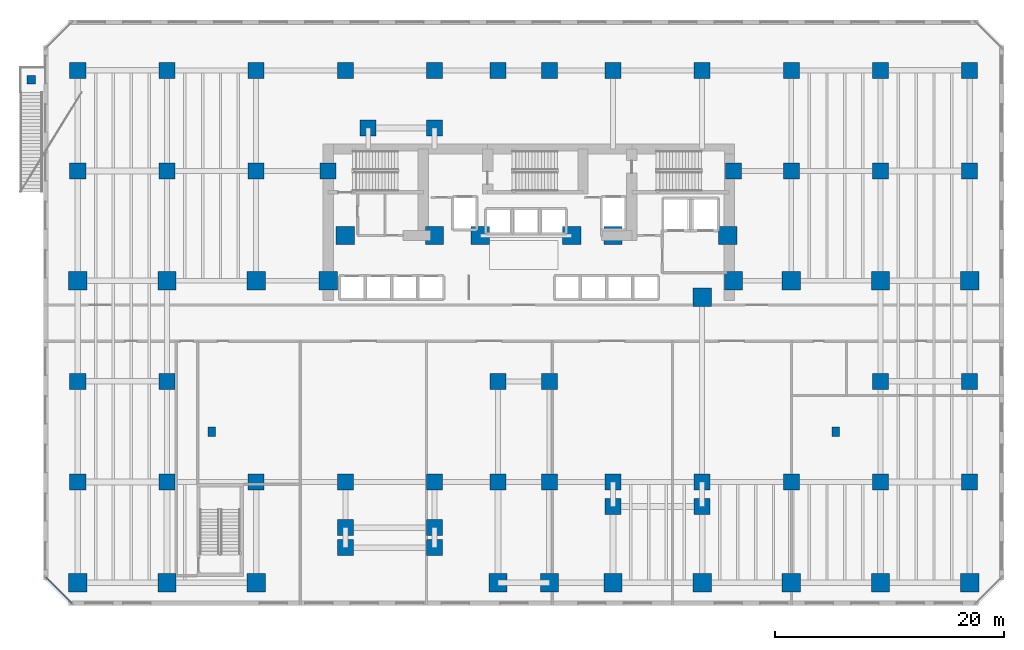
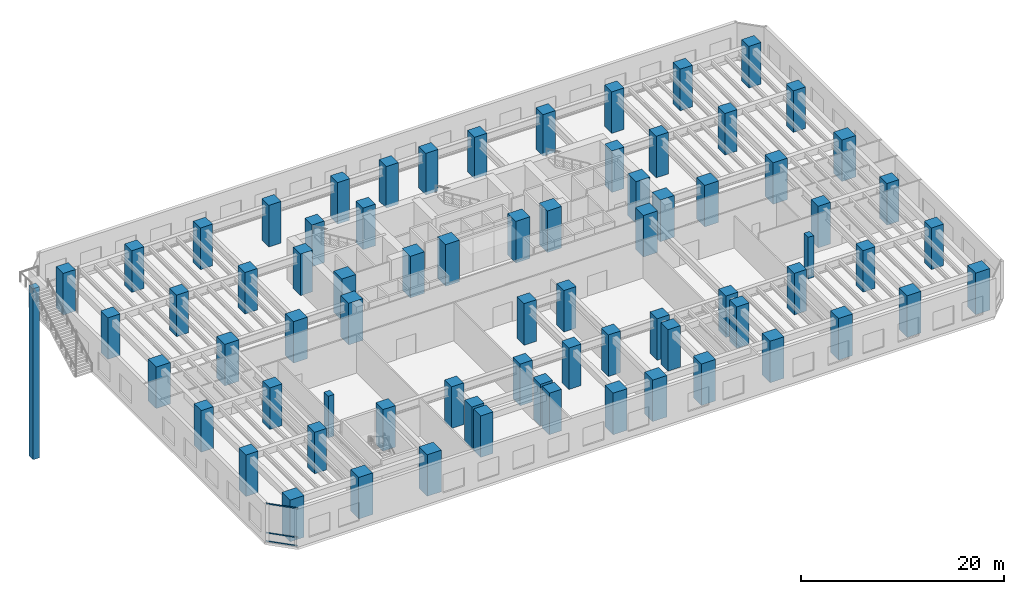
# One storey, part 1 of 20: 74 columns, 3 members, 1 element without a shape of its own.
"""IFC4 building model written with IfcOpenShell, lengths in metres."""

from ifc_helpers import new_model, si_unit, direction, frame, origin, origin_2d, place, context, subcontext, project, spatial, rectangle, hollow_rectangle, extrude, material, layer, layer_set, material_profile, profile_set, type_object, element, aggregate, save


model = new_model("IFC4")

# Units and contexts
model_context = context("Model", 3, precision=1e-05, world=origin(), true_north=direction((0.0, 1.0)))
body_context = subcontext(model_context, "Body", "Model", "MODEL_VIEW")
ifc_project = project(units=[si_unit("LENGTHUNIT", "METRE"), si_unit("AREAUNIT", "SQUARE_METRE"), si_unit("VOLUMEUNIT", "CUBIC_METRE"), si_unit("PLANEANGLEUNIT", "RADIAN"), si_unit("MASSUNIT", "GRAM", prefix="KILO")], contexts=[model_context])

# Site, building, storey
site_placement = place(None, origin())
site = spatial("IfcSite", under=ifc_project, at=site_placement, CompositionType="ELEMENT")
building_placement = place(site_placement, origin())
building = spatial("IfcBuilding", under=site, at=building_placement, Name="Kestravale Grand Hotel", CompositionType="ELEMENT")
storey_placement = place(building_placement, frame((0.0, 0.0, 15.800048828125)))
storey = spatial("IfcBuildingStorey", under=building, at=storey_placement, Name="L03", CompositionType="ELEMENT", Elevation=15.800048828125)

# Columns
ifc_material_1 = material(Name="Concrete f'c 70 MPa", Category="concrete")
ifc_material_profile_1 = material_profile(ifc_material_1, rectangle(XDim=1.39990234375, YDim=1.39990234375, at=origin_2d()))
ifc_profile_set_1 = profile_set([ifc_material_profile_1], Name="Concrete f'c 70 MPa")
column_type_1 = type_object("IfcColumnType", Name="C-Z1-1400", PredefinedType="COLUMN", material=ifc_profile_set_1)
for number, where, z_axis, x_axis, name in (
    (1, (0.0, 11.199951171875, 0.0), (0.0, 0.0, 1.0), (1.0, 0.0, 0.0), "L03 column 1-C"),
    (2, (0.0, 20.0, 0.0), (0.0, 0.0, 1.0), (1.0, 0.0, 0.0), "L03 column 1-D"),
    (3, (0.0, 38.39990234375, 0.0), (0.0, 0.0, 1.0), (1.0, 0.0, 0.0), "L03 column 1-F"),
    (4, (0.0, 47.199951171875, 0.0), (0.0, 0.0, 1.0), (1.0, 0.0, 0.0), "L03 column 1-G"),
    (5, (7.800048828125, 11.199951171875, 0.0), (0.0, 0.0, 1.0), (1.0, 0.0, 0.0), "L03 column 2-C"),
    (6, (7.800048828125, 20.0, 0.0), (0.0, 0.0, 1.0), (1.0, 0.0, 0.0), "L03 column 2-D"),
    (7, (7.800048828125, 38.39990234375, 0.0), (0.0, 0.0, 1.0), (1.0, 0.0, 0.0), "L03 column 2-F"),
    (8, (7.800048828125, 47.199951171875, 0.0), (0.0, 0.0, 1.0), (1.0, 0.0, 0.0), "L03 column 2-G"),
    (9, (15.60009765625, 11.199951171875, 0.0), (0.0, 0.0, 1.0), (1.0, 0.0, 0.0), "L03 column 3-C"),
    (10, (15.60009765625, 38.39990234375, 0.0), (0.0, 0.0, 1.0), (1.0, 0.0, 0.0), "L03 column 3-F"),
    (11, (15.60009765625, 47.199951171875, 0.0), (0.0, 0.0, 1.0), (1.0, 0.0, 0.0), "L03 column 3-G"),
    (12, (23.39990234375, 11.199951171875, 0.0), (0.0, 0.0, 1.0), (1.0, 0.0, 0.0), "L03 column 4-C"),
    (13, (23.39990234375, 47.199951171875, 0.0), (0.0, 0.0, 1.0), (1.0, 0.0, 0.0), "L03 column 4-G"),
    (14, (31.199951171875, 11.199951171875, 0.0), (0.0, 0.0, 1.0), (1.0, 0.0, 0.0), "L03 column 5-C"),
    (15, (31.199951171875, 47.199951171875, 0.0), (0.0, 0.0, 1.0), (1.0, 0.0, 0.0), "L03 column 5-G"),
    (16, (36.75, 11.199951171875, 0.0), (0.0, 0.0, 1.0), (1.0, 0.0, 0.0), "L03 column 6-C"),
    (17, (36.75, 20.0, 0.0), (0.0, 0.0, 1.0), (1.0, 0.0, 0.0), "L03 column 6-D"),
    (18, (36.75, 47.199951171875, 0.0), (0.0, 0.0, 1.0), (1.0, 0.0, 0.0), "L03 column 6-G"),
    (19, (41.25, 11.199951171875, 0.0), (0.0, 0.0, 1.0), (1.0, 0.0, 0.0), "L03 column 7-C"),
    (20, (41.25, 20.0, 0.0), (0.0, 0.0, 1.0), (1.0, 0.0, 0.0), "L03 column 7-D"),
    (21, (41.25, 47.199951171875, 0.0), (0.0, 0.0, 1.0), (1.0, 0.0, 0.0), "L03 column 7-G"),
    (22, (46.800048828125, 11.199951171875, 0.0), (0.0, 0.0, 1.0), (1.0, 0.0, 0.0), "L03 column 8-C"),
    (23, (46.800048828125, 47.199951171875, 0.0), (0.0, 0.0, 1.0), (1.0, 0.0, 0.0), "L03 column 8-G"),
    (24, (54.60009765625, 11.199951171875, 0.0), (0.0, 0.0, 1.0), (1.0, 0.0, 0.0), "L03 column 9-C"),
    (25, (54.60009765625, 47.199951171875, 0.0), (0.0, 0.0, 1.0), (1.0, 0.0, 0.0), "L03 column 9-G"),
    (26, (62.39990234375, 11.199951171875, 0.0), (0.0, 0.0, 1.0), (1.0, 0.0, 0.0), "L03 column 10-C"),
    (27, (62.39990234375, 38.39990234375, 0.0), (0.0, 0.0, 1.0), (1.0, 0.0, 0.0), "L03 column 10-F"),
    (28, (62.39990234375, 47.199951171875, 0.0), (0.0, 0.0, 1.0), (1.0, 0.0, 0.0), "L03 column 10-G"),
    (29, (70.199951171875, 11.199951171875, 0.0), (0.0, 0.0, 1.0), (1.0, 0.0, 0.0), "L03 column 11-C"),
    (30, (70.199951171875, 20.0, 0.0), (0.0, 0.0, 1.0), (1.0, 0.0, 0.0), "L03 column 11-D"),
    (31, (70.199951171875, 38.39990234375, 0.0), (0.0, 0.0, 1.0), (1.0, 0.0, 0.0), "L03 column 11-F"),
    (32, (70.199951171875, 47.199951171875, 0.0), (0.0, 0.0, 1.0), (1.0, 0.0, 0.0), "L03 column 11-G"),
    (33, (78.0, 11.199951171875, 0.0), (0.0, 0.0, 1.0), (1.0, 0.0, 0.0), "L03 column 12-C"),
    (34, (78.0, 20.0, 0.0), (0.0, 0.0, 1.0), (1.0, 0.0, 0.0), "L03 column 12-D"),
    (35, (78.0, 38.39990234375, 0.0), (0.0, 0.0, 1.0), (1.0, 0.0, 0.0), "L03 column 12-F"),
    (36, (78.0, 47.199951171875, 0.0), (0.0, 0.0, 1.0), (1.0, 0.0, 0.0), "L03 column 12-G"),
    (37, (21.89990234375, 38.39990234375, 0.0), (0.0, 0.0, 1.0), (1.0, 0.0, 0.0), "L03 column CW-F"),
    (38, (57.35009765625, 38.39990234375, 0.0), (0.0, 0.0, 1.0), (1.0, 0.0, 0.0), "L03 column CE-F"),
    (39, (23.39990234375, 7.199951171875, 0.0), (0.0, 0.0, 1.0), (1.0, 0.0, 0.0), "L03 column 4-BS"),
    (40, (31.199951171875, 7.199951171875, 0.0), (0.0, 0.0, 1.0), (1.0, 0.0, 0.0), "L03 column 5-BS"),
    (41, (25.39990234375, 42.14990234375, 0.0), (0.0, 0.0, 1.0), (1.0, 0.0, 0.0), "L03 column 4-FN"),
    (42, (31.199951171875, 42.14990234375, 0.0), (0.0, 0.0, 1.0), (1.0, 0.0, 0.0), "L03 column 5-FN"),
    (43, (23.39990234375, 5.449951171875, 0.0), (0.0, 0.0, 1.0), (1.0, 0.0, 0.0), "L03 column 4-B1S"),
    (44, (31.199951171875, 5.449951171875, 0.0), (0.0, 0.0, 1.0), (1.0, 0.0, 0.0), "L03 column 5-B1S"),
    (45, (46.800048828125, 9.050048828125, 0.0), (0.0, 0.0, 1.0), (1.0, 0.0, 0.0), "L03 column 8-B1E"),
    (46, (54.60009765625, 9.050048828125, 0.0), (0.0, 0.0, 1.0), (1.0, 0.0, 0.0), "L03 column 9-B1E"),
):
    element("IfcColumn", number, at=place(storey_placement, frame(where, z_axis=z_axis, x_axis=x_axis)), inside=storey, type_object=column_type_1, Name=name, PredefinedType="COLUMN", context=body_context, shape_type="SweptSolid", body=[
        extrude(rectangle(XDim=1.39990234375, YDim=1.39990234375, at=origin_2d()), origin(), (0.0, 0.0, 1.0), 5.0),
    ])
ifc_material_2 = material(Name="Concrete f'c 70 MPa", Category="concrete")
ifc_material_profile_2 = material_profile(ifc_material_2, rectangle(XDim=1.60009765625, YDim=1.60009765625, at=origin_2d()))
ifc_profile_set_2 = profile_set([ifc_material_profile_2], Name="Concrete f'c 70 MPa")
column_type_2 = type_object("IfcColumnType", Name="C-Z1-1600", PredefinedType="COLUMN", material=ifc_profile_set_2)
for number, where, z_axis, x_axis, name in (
    (47, (0.0, 2.39990234375, 0.0), (0.0, 0.0, 1.0), (1.0, 0.0, 0.0), "L03 column 1-B"),
    (48, (0.0, 28.800048828125, 0.0), (0.0, 0.0, 1.0), (1.0, 0.0, 0.0), "L03 column 1-E"),
    (49, (7.800048828125, 2.39990234375, 0.0), (0.0, 0.0, 1.0), (1.0, 0.0, 0.0), "L03 column 2-B"),
    (50, (7.800048828125, 28.800048828125, 0.0), (0.0, 0.0, 1.0), (1.0, 0.0, 0.0), "L03 column 2-E"),
    (51, (15.60009765625, 2.39990234375, 0.0), (0.0, 0.0, 1.0), (1.0, 0.0, 0.0), "L03 column 3-B"),
    (52, (15.60009765625, 28.800048828125, 0.0), (0.0, 0.0, 1.0), (1.0, 0.0, 0.0), "L03 column 3-E"),
    (53, (36.75, 2.39990234375, 0.0), (0.0, 0.0, 1.0), (1.0, 0.0, 0.0), "L03 column 6-B"),
    (54, (41.25, 2.39990234375, 0.0), (0.0, 0.0, 1.0), (1.0, 0.0, 0.0), "L03 column 7-B"),
    (55, (46.800048828125, 2.39990234375, 0.0), (0.0, 0.0, 1.0), (1.0, 0.0, 0.0), "L03 column 8-B"),
    (56, (54.60009765625, 2.39990234375, 0.0), (0.0, 0.0, 1.0), (1.0, 0.0, 0.0), "L03 column 9-B"),
    (57, (62.39990234375, 2.39990234375, 0.0), (0.0, 0.0, 1.0), (1.0, 0.0, 0.0), "L03 column 10-B"),
    (58, (62.39990234375, 28.800048828125, 0.0), (0.0, 0.0, 1.0), (1.0, 0.0, 0.0), "L03 column 10-E"),
    (59, (70.199951171875, 2.39990234375, 0.0), (0.0, 0.0, 1.0), (1.0, 0.0, 0.0), "L03 column 11-B"),
    (60, (70.199951171875, 28.800048828125, 0.0), (0.0, 0.0, 1.0), (1.0, 0.0, 0.0), "L03 column 11-E"),
    (61, (78.0, 2.39990234375, 0.0), (0.0, 0.0, 1.0), (1.0, 0.0, 0.0), "L03 column 12-B"),
    (62, (78.0, 28.800048828125, 0.0), (0.0, 0.0, 1.0), (1.0, 0.0, 0.0), "L03 column 12-E"),
    (63, (21.89990234375, 28.800048828125, 0.0), (0.0, 0.0, 1.0), (1.0, 0.0, 0.0), "L03 column CW-E"),
    (64, (57.35009765625, 28.800048828125, 0.0), (0.0, 0.0, 1.0), (1.0, 0.0, 0.0), "L03 column CE-E"),
    (65, (23.39990234375, 32.75, 0.0), (0.0, 0.0, 1.0), (1.0, 0.0, 0.0), "L03 column 4-CS"),
    (66, (31.199951171875, 32.75, 0.0), (0.0, 0.0, 1.0), (1.0, 0.0, 0.0), "L03 column 5-CS"),
    (67, (35.199951171875, 32.75, 0.0), (0.0, 0.0, 1.0), (1.0, 0.0, 0.0), "L03 column 6C-CS"),
    (68, (43.199951171875, 32.75, 0.0), (0.0, 0.0, 1.0), (1.0, 0.0, 0.0), "L03 column 7C-CS"),
    (69, (46.800048828125, 32.75, 0.0), (0.0, 0.0, 1.0), (1.0, 0.0, 0.0), "L03 column 8-CS"),
    (70, (54.60009765625, 27.35009765625, 0.0), (0.0, 0.0, 1.0), (1.0, 0.0, 0.0), "L03 column 9-CS"),
    (71, (56.85009765625, 32.75, 0.0), (0.0, 0.0, 1.0), (1.0, 0.0, 0.0), "L03 column 9C-CS"),
):
    element("IfcColumn", number, at=place(storey_placement, frame(where, z_axis=z_axis, x_axis=x_axis)), inside=storey, type_object=column_type_2, Name=name, PredefinedType="COLUMN", context=body_context, shape_type="SweptSolid", body=[
        extrude(rectangle(XDim=1.60009765625, YDim=1.60009765625, at=origin_2d()), origin(), (0.0, 0.0, 1.0), 5.0),
    ])
ifc_material_3 = material(Name="Precast concrete f'c 45 MPa", Category="concrete")
ifc_material_profile_3 = material_profile(ifc_material_3, rectangle(XDim=0.64990234375, YDim=0.85009765625, at=origin_2d()))
ifc_profile_set_3 = profile_set([ifc_material_profile_3], Name="Precast concrete f'c 45 MPa")
column_type_3 = type_object("IfcColumnType", Name="C-Z1-PIL850", PredefinedType="PILASTER", material=ifc_profile_set_3)
for number, where, z_axis, x_axis, name in (
    (72, (11.699951171875, 15.60009765625, 0.0), (0.0, 0.0, 1.0), (1.0, 0.0, 0.0), "L03 Art Deco fluted pilaster P1"),
    (73, (66.300048828125, 15.60009765625, 0.0), (0.0, 0.0, 1.0), (1.0, 0.0, 0.0), "L03 Art Deco fluted pilaster P2"),
):
    element("IfcColumn", number, at=place(storey_placement, frame(where, z_axis=z_axis, x_axis=x_axis)), inside=storey, type_object=column_type_3, Name=name, PredefinedType="PILASTER", context=body_context, shape_type="SweptSolid", body=[
        extrude(rectangle(XDim=0.64990234375, YDim=0.85009765625, at=origin_2d()), origin(), (0.0, 0.0, 1.0), 5.0),
    ])
ifc_material_4 = material(Name="Concrete f'c 50 MPa", Category="concrete")
ifc_material_profile_4 = material_profile(ifc_material_4, rectangle(XDim=0.75, YDim=0.75, at=origin_2d()))
ifc_profile_set_4 = profile_set([ifc_material_profile_4], Name="Concrete f'c 50 MPa")
column_type_4 = type_object("IfcColumnType", Name="C-Z4-750", PredefinedType="COLUMN", material=ifc_profile_set_4)
column_placement = place(storey_placement, frame((-4.050048828125, 46.3798828125, -15.800048828125), z_axis=(0.0, 0.0, 1.0), x_axis=(1.0, 0.0, 0.0)))
element("IfcColumn", 74, at=column_placement, inside=storey, type_object=column_type_4, Name="Garden stair 4 pier column", PredefinedType="COLUMN", context=body_context, shape_type="SweptSolid", body=[
    extrude(rectangle(XDim=0.75, YDim=0.75, at=origin_2d()), origin(), (0.0, 0.0, 1.0), 20.550048828125),
])

# Curtain wall, members
ifc_material_5 = material(Name="Thermally broken champagne-bronze aluminium and low-E glazing", Category="aluminium")
ifc_layer = layer(ifc_material_5, 0.239990234375)
ifc_layer_set = layer_set([ifc_layer], Name="CW-POD")
curtain_wall_type = type_object("IfcCurtainWallType", Name="CW-POD", PredefinedType="NOTDEFINED", material=ifc_layer_set)
curtain_wall_placement = place(storey_placement, origin())
curtain_wall = element("IfcCurtainWall", 75, at=curtain_wall_placement, inside=storey, type_object=curtain_wall_type, Name="L03 unitised curtain wall 8", PredefinedType="NOTDEFINED")
ifc_material_6 = material(Name="Aluminium 6063-T6 anodised", Category="aluminium")
ifc_material_profile_5 = material_profile(ifc_material_6, hollow_rectangle(XDim=0.074951171875, YDim=0.139892578125, WallThickness=0.00341796875, at=origin_2d()))
ifc_profile_set_5 = profile_set([ifc_material_profile_5], Name="Aluminium 6063-T6 anodised")
member_type = type_object("IfcMemberType", Name="CW-TRN-140", PredefinedType="USERDEFINED", material=ifc_profile_set_5)
member_1_placement = place(storey_placement, frame((-2.819580078125, 2.888427734375, 0.037353515625), z_axis=(0.707069380992, -0.707144179403, 0.0), x_axis=(0.707144179403, 0.707069380992, 0.0)))
member_1 = element("IfcMember", 76, at=member_1_placement, type_object=member_type, Name="CW-POD transom 1.1", ObjectType="TRANSOM", PredefinedType="USERDEFINED", context=body_context, shape_type="SweptSolid", body=[
    extrude(hollow_rectangle(XDim=0.074951171875, YDim=0.139892578125, WallThickness=0.00341796875, at=origin_2d()), origin(), (0.0, 0.0, 1.0), 3.263916015625),
])
member_2_placement = place(storey_placement, frame((-2.819580078125, 2.888427734375, 1.050048828125), z_axis=(0.707069380992, -0.707144179403, 0.0), x_axis=(0.707144179403, 0.707069380992, 0.0)))
member_2 = element("IfcMember", 77, at=member_2_placement, type_object=member_type, Name="CW-POD transom 1.2", ObjectType="TRANSOM", PredefinedType="USERDEFINED", context=body_context, shape_type="SweptSolid", body=[
    extrude(hollow_rectangle(XDim=0.074951171875, YDim=0.139892578125, WallThickness=0.00341796875, at=origin_2d()), origin(), (0.0, 0.0, 1.0), 3.263916015625),
])
member_3_placement = place(storey_placement, frame((-2.819580078125, 2.888427734375, 4.54248046875), z_axis=(0.707069380992, -0.707144179403, 0.0), x_axis=(0.707144179403, 0.707069380992, 0.0)))
member_3 = element("IfcMember", 78, at=member_3_placement, type_object=member_type, Name="CW-POD transom 1.3", ObjectType="TRANSOM", PredefinedType="USERDEFINED", context=body_context, shape_type="SweptSolid", body=[
    extrude(hollow_rectangle(XDim=0.074951171875, YDim=0.139892578125, WallThickness=0.00341796875, at=origin_2d()), origin(), (0.0, 0.0, 1.0), 3.263916015625),
])
aggregate(curtain_wall, [member_1, member_2, member_3])

save(model, "model.ifc")
